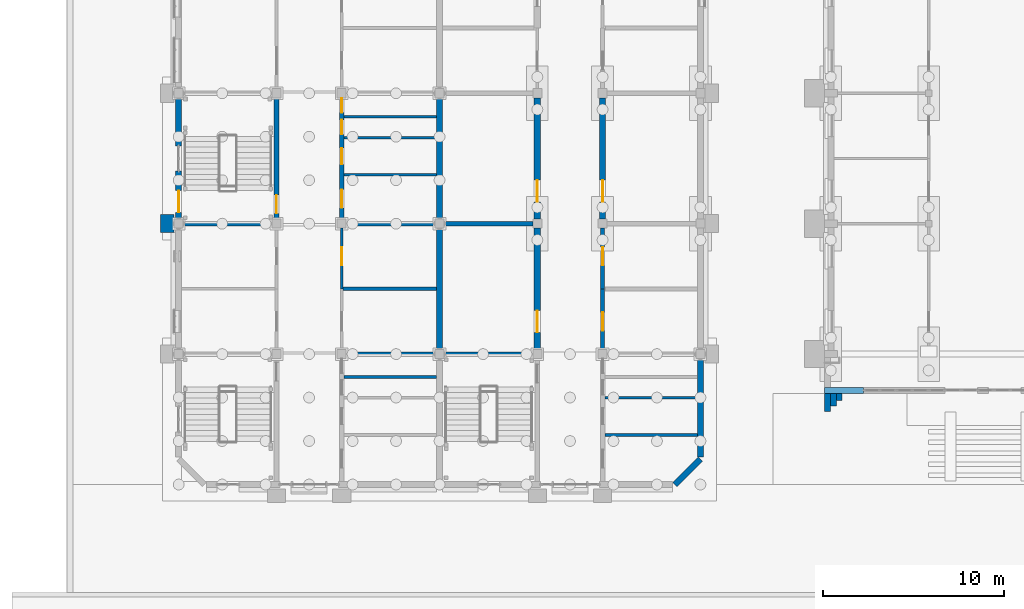
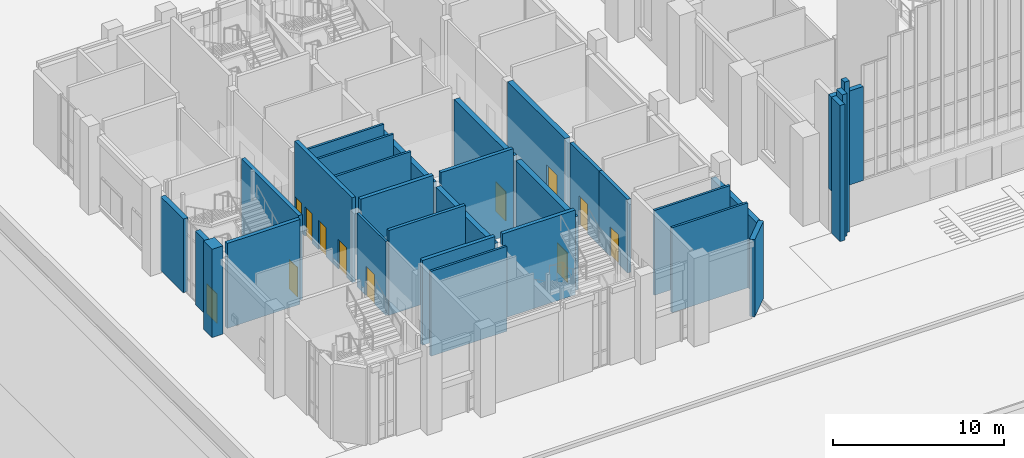
# One storey, part 33 of 84: 31 walls, 12 doors, 12 openings.
"""IFC4 building model written with IfcOpenShell, lengths in metres."""

from ifc_helpers import new_model, si_unit, direction, frame, frame_2d, origin, place, context, subcontext, project, spatial, rectangle, extrude, material, layer, layer_set, type_object, element, fill, save


model = new_model("IFC4")

# Units and contexts
model_context = context("Model", 3, precision=1e-05, world=origin(), true_north=direction((0.0, 1.0)))
body_context = subcontext(model_context, "Body", "Model", "MODEL_VIEW")
ifc_project = project(units=[si_unit("LENGTHUNIT", "METRE"), si_unit("AREAUNIT", "SQUARE_METRE"), si_unit("VOLUMEUNIT", "CUBIC_METRE"), si_unit("PLANEANGLEUNIT", "RADIAN"), si_unit("MASSUNIT", "GRAM", prefix="KILO")], contexts=[model_context])

# Site, building, storey
site_placement = place(None, origin())
site = spatial("IfcSite", under=ifc_project, at=site_placement, CompositionType="ELEMENT")
building_placement = place(site_placement, origin())
building = spatial("IfcBuilding", under=site, at=building_placement, Name="Mazhai Court Health Centre", CompositionType="ELEMENT")
storey_placement = place(building_placement, origin())
storey = spatial("IfcBuildingStorey", under=building, at=storey_placement, Name="L00", CompositionType="ELEMENT", Elevation=0.0)

# Walls
ifc_material_1 = material(Name="Clay brick masonry", Category="masonry")
ifc_layer_1 = layer(ifc_material_1, 0.75)
ifc_layer_set_1 = layer_set([ifc_layer_1], Name="BRICK PIER 750")
wall_type_1 = type_object("IfcWallType", Name="BRICK PIER 750", PredefinedType="SOLIDWALL", material=ifc_layer_set_1)
wall_1_placement = place(storey_placement, frame((5.574951171875, 20.10009765625, 0.0), z_axis=(0.0, 0.0, 1.0), x_axis=(0.0, 1.0, 0.0)))
element("IfcWall", 1, at=wall_1_placement, inside=storey, type_object=wall_type_1, Name="EP-V2-L00-A2", PredefinedType="SOLIDWALL", context=body_context, shape_type="SweptSolid", body=[
    extrude(rectangle(XDim=1.0, YDim=0.75, at=frame_2d((0.5, 0.0))), origin(), (0.0, 0.0, 1.0), 6.300048828125),
])
ifc_material_2 = material(Name="Clay brick masonry", Category="masonry")
ifc_layer_2 = layer(ifc_material_2, 0.22998046875)
ifc_layer_set_2 = layer_set([ifc_layer_2], Name="BRICK WALL 230 SHIELDING EI120")
wall_type_2 = type_object("IfcWallType", Name="BRICK WALL 230 SHIELDING EI120", PredefinedType="SOLIDWALL", material=ifc_layer_set_2)
wall_2_placement = place(storey_placement, frame((20.85009765625, 20.60009765625, 0.0), z_axis=(0.0, 0.0, 1.0), x_axis=(1.0, 0.0, 0.0)))
element("IfcWall", 2, at=wall_2_placement, inside=storey, type_object=wall_type_2, Name="wall-V5-L00-A0-cross-1a", PredefinedType="SOLIDWALL", context=body_context, shape_type="SweptSolid", body=[
    extrude(rectangle(XDim=4.89990234375, YDim=0.22998046875, at=frame_2d((2.449951171875, 0.0))), origin(), (0.0, 0.0, 1.0), 6.050048828125),
])

# Wall, opening, door
wall_3_placement = place(storey_placement, frame((29.60009765625, 17.0, 0.0), z_axis=(0.0, 0.0, 1.0), x_axis=(0.0, -1.0, 0.0)))
wall_3 = element("IfcWall", 3, at=wall_3_placement, inside=storey, type_object=wall_type_2, Name="wall-V5-L00-B0-corr-0a", PredefinedType="SOLIDWALL", context=body_context, shape_type="SweptSolid", body=[
    extrude(rectangle(XDim=3.35009765625, YDim=0.22998046875, at=frame_2d((1.675048828125, 0.0))), origin(), (0.0, 0.0, 1.0), 5.25),
])
opening_1_placement = place(wall_3_placement, frame((1.300048828125, 0.0, 0.0)))
opening_1 = element("IfcOpeningElement", 4, at=opening_1_placement, cuts=wall_3, Name="Opening D-L00-035", PredefinedType="OPENING", context=body_context, shape_type="SweptSolid", body=[
    extrude(rectangle(XDim=1.0, YDim=2.10009765625, at=frame_2d((0.5, 1.050048828125))), frame((0.0, 0.125, 0.0), z_axis=(0.0, -1.0, 0.0), x_axis=(1.0, 0.0, 0.0)), (0.0, 0.0, 1.0), 0.25),
])
ifc_material_3 = material(Name="Lead lined hardwood door leaf", Category="wood")
door_type_1 = type_object("IfcDoorType", Name="DOOR 1000x2100 FD30S LEAD LINED 2.0 PB", OperationType="NOTDEFINED", PredefinedType="DOOR", material=ifc_material_3)
door_1_placement = place(opening_1_placement, origin())
door_1 = element("IfcDoor", 5, at=door_1_placement, inside=storey, type_object=door_type_1, Name="door-V5-L00-B0-mammography-room", OperationType="SINGLE_SWING_RIGHT", OverallHeight=2.10009765625, OverallWidth=1.0, PredefinedType="DOOR", context=body_context, shape_type="SweptSolid", body=[
    extrude(rectangle(XDim=1.0, YDim=2.10009765625, at=frame_2d((0.5, 1.050048828125))), frame((0.0, 0.02490234375, 0.0), z_axis=(0.0, -1.0, 0.0), x_axis=(1.0, 0.0, 0.0)), (0.0, 0.0, 1.0), 0.050048828125),
])
fill(opening_1, door_1)

wall_4_placement = place(storey_placement, frame((29.60009765625, 20.35009765625, 0.0), z_axis=(0.0, 0.0, 1.0), x_axis=(0.0, -1.0, 0.0)))
wall_4 = element("IfcWall", 6, at=wall_4_placement, inside=storey, type_object=wall_type_2, Name="wall-V5-L00-B0-corr-1a", PredefinedType="SOLIDWALL", context=body_context, shape_type="SweptSolid", body=[
    extrude(rectangle(XDim=3.35009765625, YDim=0.22998046875, at=frame_2d((1.675048828125, 0.0))), origin(), (0.0, 0.0, 1.0), 5.25),
])
opening_2_placement = place(wall_4_placement, frame((1.050048828125, 0.0, 0.0)))
opening_2 = element("IfcOpeningElement", 7, at=opening_2_placement, cuts=wall_4, Name="Opening D-L00-036", PredefinedType="OPENING", context=body_context, shape_type="SweptSolid", body=[
    extrude(rectangle(XDim=1.0, YDim=2.10009765625, at=frame_2d((0.5, 1.050048828125))), frame((0.0, 0.125, 0.0), z_axis=(0.0, -1.0, 0.0), x_axis=(1.0, 0.0, 0.0)), (0.0, 0.0, 1.0), 0.25),
])
door_2_placement = place(opening_2_placement, origin())
door_2 = element("IfcDoor", 8, at=door_2_placement, inside=storey, type_object=door_type_1, Name="door-V5-L00-B0-dexa-scan-room", OperationType="SINGLE_SWING_LEFT", OverallHeight=2.10009765625, OverallWidth=1.0, PredefinedType="DOOR", context=body_context, shape_type="SweptSolid", body=[
    extrude(rectangle(XDim=1.0, YDim=2.10009765625, at=frame_2d((0.5, 1.050048828125))), frame((0.0, 0.02490234375, 0.0), z_axis=(0.0, -1.0, 0.0), x_axis=(1.0, 0.0, 0.0)), (0.0, 0.0, 1.0), 0.050048828125),
])
fill(opening_2, door_2)

ifc_material_4 = material(Name="Clay brick masonry", Category="masonry")
ifc_layer_3 = layer(ifc_material_4, 0.330078125)
ifc_layer_set_3 = layer_set([ifc_layer_3], Name="BRICK WALL 330 EXTERNAL")
wall_type_3 = type_object("IfcWallType", Name="BRICK WALL 330 EXTERNAL", PredefinedType="SOLIDWALL", material=ifc_layer_set_3)
wall_5_placement = place(storey_placement, frame((6.199951171875, 20.85009765625, 0.0), z_axis=(0.0, 0.0, 1.0), x_axis=(0.0, 1.0, 0.0)))
wall_5 = element("IfcWall", 9, at=wall_5_placement, inside=storey, type_object=wall_type_3, Name="EW-V2-L00-A2a", PredefinedType="SOLIDWALL", context=body_context, shape_type="SweptSolid", body=[
    extrude(rectangle(XDim=2.64990234375, YDim=0.330078125, at=frame_2d((1.324951171875, 0.0))), origin(), (0.0, 0.0, 1.0), 5.25),
])
opening_3_placement = place(wall_5_placement, frame((0.3701171875, 0.0, 0.0)))
opening_3 = element("IfcOpeningElement", 10, at=opening_3_placement, cuts=wall_5, Name="Opening D-L00-001", PredefinedType="OPENING", context=body_context, shape_type="SweptSolid", body=[
    extrude(rectangle(XDim=1.199951171875, YDim=2.10009765625, at=frame_2d((0.60009765625, 1.050048828125))), frame((0.0, 0.175048828125, 0.0), z_axis=(0.0, -1.0, 0.0), x_axis=(1.0, 0.0, 0.0)), (0.0, 0.0, 1.0), 0.35009765625),
])
ifc_material_5 = material(Name="Teak timber door, glazed", Category="wood")
door_type_2 = type_object("IfcDoorType", Name="DOOR FIRE EXIT 1200x2100", OperationType="SINGLE_SWING_LEFT", PredefinedType="DOOR", material=ifc_material_5)
door_3_placement = place(opening_3_placement, origin())
door_3 = element("IfcDoor", 11, at=door_3_placement, inside=storey, type_object=door_type_2, Name="L00-E01", OperationType="SINGLE_SWING_LEFT", OverallHeight=2.10009765625, OverallWidth=1.199951171875, PredefinedType="DOOR", context=body_context, shape_type="SweptSolid", body=[
    extrude(rectangle(XDim=1.199951171875, YDim=2.10009765625, at=frame_2d((0.60009765625, 1.050048828125))), frame((0.0, 0.02490234375, 0.0), z_axis=(0.0, -1.0, 0.0), x_axis=(1.0, 0.0, 0.0)), (0.0, 0.0, 1.0), 0.050048828125),
])
fill(opening_3, door_3)

# Walls
wall_6_placement = place(storey_placement, frame((6.199951171875, 24.89990234375, 0.0), z_axis=(0.0, 0.0, 1.0), x_axis=(0.0, 1.0, 0.0)))
element("IfcWall", 12, at=wall_6_placement, inside=storey, type_object=wall_type_3, Name="EW-V2-L00-A2b", PredefinedType="SOLIDWALL", context=body_context, shape_type="SweptSolid", body=[
    extrude(rectangle(XDim=2.650146484375, YDim=0.330078125, at=frame_2d((1.3251953125, 0.0))), origin(), (0.0, 0.0, 1.0), 5.25),
])
wall_7_placement = place(storey_placement, frame((35.0, 13.14990234375, 0.0), z_axis=(0.0, 0.0, 1.0), x_axis=(0.0, -1.0, 0.0)))
element("IfcWall", 13, at=wall_7_placement, inside=storey, type_object=wall_type_3, Name="EW-V5-L00-B0", PredefinedType="SOLIDWALL", context=body_context, shape_type="SweptSolid", body=[
    extrude(rectangle(XDim=5.4189453125, YDim=0.330078125, at=frame_2d((2.70947265625, 0.0))), origin(), (0.0, 0.0, 1.0), 5.25),
])
wall_8_placement = place(storey_placement, frame((35.0, 7.614013671875, 0.0), z_axis=(0.0, 0.0, 1.0), x_axis=(-0.707106781187, -0.707106781187, 0.0)))
element("IfcWall", 14, at=wall_8_placement, inside=storey, type_object=wall_type_3, Name="EW-V5-L00-CHB", PredefinedType="SOLIDWALL", context=body_context, shape_type="SweptSolid", body=[
    extrude(rectangle(XDim=1.999755859375, YDim=0.330078125, at=frame_2d((1.0, 0.0))), origin(), (0.0, 0.0, 1.0), 5.5),
])
wall_9_placement = place(storey_placement, frame((44.0, 11.39990234375, 3.0), z_axis=(0.0, 0.0, 1.0), x_axis=(-1.0, 0.0, 0.0)))
element("IfcWall", 15, at=wall_9_placement, inside=storey, type_object=wall_type_3, Name="EW-V1-L00-SJW", PredefinedType="SOLIDWALL", context=body_context, shape_type="SweptSolid", body=[
    extrude(rectangle(XDim=2.159912109375, YDim=0.330078125, at=frame_2d((1.080078125, 0.0))), origin(), (0.0, 0.0, 1.0), 6.699951171875),
])
wall_10_placement = place(storey_placement, frame((42.0048828125, 10.235107421875, 0.0), z_axis=(0.0, 0.0, 1.0), x_axis=(0.0, 1.0, 0.0)))
element("IfcWall", 16, at=wall_10_placement, inside=storey, type_object=wall_type_3, Name="EW-V1-L00-PRW0", PredefinedType="SOLIDWALL", context=body_context, shape_type="SweptSolid", body=[
    extrude(rectangle(XDim=1.0, YDim=0.330078125, at=frame_2d((0.5, 0.0))), origin(), (0.0, 0.0, 1.0), 9.699951171875),
])
wall_11_placement = place(storey_placement, frame((42.3349609375, 10.534912109375, 0.0), z_axis=(0.0, 0.0, 1.0), x_axis=(0.0, 1.0, 0.0)))
element("IfcWall", 17, at=wall_11_placement, inside=storey, type_object=wall_type_3, Name="EW-V1-L00-PRW1", PredefinedType="SOLIDWALL", context=body_context, shape_type="SweptSolid", body=[
    extrude(rectangle(XDim=0.7001953125, YDim=0.330078125, at=frame_2d((0.35009765625, 0.0))), origin(), (0.0, 0.0, 1.0), 10.156982421875),
])
wall_12_placement = place(storey_placement, frame((42.6650390625, 10.8349609375, 0.0), z_axis=(0.0, 0.0, 1.0), x_axis=(0.0, 1.0, 0.0)))
element("IfcWall", 18, at=wall_12_placement, inside=storey, type_object=wall_type_3, Name="EW-V1-L00-PRW2", PredefinedType="SOLIDWALL", context=body_context, shape_type="SweptSolid", body=[
    extrude(rectangle(XDim=0.400146484375, YDim=0.330078125, at=frame_2d((0.2001953125, 0.0))), origin(), (0.0, 0.0, 1.0), 10.77001953125),
])
ifc_material_6 = material(Name="Clay brick masonry", Category="masonry")
ifc_layer_4 = layer(ifc_material_6, 0.330078125)
ifc_layer_set_4 = layer_set([ifc_layer_4], Name="BRICK WALL 330 INTERNAL")
wall_type_4 = type_object("IfcWallType", Name="BRICK WALL 330 INTERNAL", PredefinedType="SOLIDWALL", material=ifc_layer_set_4)
wall_13_placement = place(storey_placement, frame((20.60009765625, 20.35009765625, 0.0), z_axis=(0.0, 0.0, 1.0), x_axis=(0.0, -1.0, 0.0)))
element("IfcWall", 19, at=wall_13_placement, inside=storey, type_object=wall_type_4, Name="EW-V2-L00-B1", PredefinedType="SOLIDWALL", context=body_context, shape_type="SweptSolid", body=[
    extrude(rectangle(XDim=6.7001953125, YDim=0.330078125, at=frame_2d((3.35009765625, 0.0))), origin(), (0.0, 0.0, 1.0), 5.25),
])
wall_14_placement = place(storey_placement, frame((20.60009765625, 27.550048828125, 0.0), z_axis=(0.0, 0.0, 1.0), x_axis=(0.0, -1.0, 0.0)))
element("IfcWall", 20, at=wall_14_placement, inside=storey, type_object=wall_type_4, Name="EW-V2-L00-B2", PredefinedType="SOLIDWALL", context=body_context, shape_type="SweptSolid", body=[
    extrude(rectangle(XDim=6.699951171875, YDim=0.330078125, at=frame_2d((3.35009765625, 0.0))), origin(), (0.0, 0.0, 1.0), 5.25),
])

# Wall, opening, door
ifc_material_7 = material(Name="Clay brick masonry", Category="masonry")
ifc_layer_5 = layer(ifc_material_7, 0.35009765625)
ifc_layer_set_5 = layer_set([ifc_layer_5], Name="BRICK WALL 350 SHIELDING EI120")
wall_type_5 = type_object("IfcWallType", Name="BRICK WALL 350 SHIELDING EI120", PredefinedType="SOLIDWALL", material=ifc_layer_set_5)
wall_15_placement = place(storey_placement, frame((26.0, 13.64990234375, 0.0), z_axis=(0.0, 0.0, 1.0), x_axis=(0.0, 1.0, 0.0)))
wall_15 = element("IfcWall", 21, at=wall_15_placement, inside=storey, type_object=wall_type_5, Name="wall-V5-L00-A0-corr-0a", PredefinedType="SOLIDWALL", context=body_context, shape_type="SweptSolid", body=[
    extrude(rectangle(XDim=6.7001953125, YDim=0.35009765625, at=frame_2d((3.35009765625, 0.0))), origin(), (0.0, 0.0, 1.0), 5.25),
])
opening_4_placement = place(wall_15_placement, frame((0.949951171875, 0.0, 0.0)))
opening_4 = element("IfcOpeningElement", 22, at=opening_4_placement, cuts=wall_15, Name="Opening D-L00-024", PredefinedType="OPENING", context=body_context, shape_type="SweptSolid", body=[
    extrude(rectangle(XDim=1.199951171875, YDim=2.10009765625, at=frame_2d((0.60009765625, 1.050048828125))), frame((0.0, 0.18505859375, 0.0), z_axis=(0.0, -1.0, 0.0), x_axis=(1.0, 0.0, 0.0)), (0.0, 0.0, 1.0), 0.3701171875),
])
ifc_material_8 = material(Name="Lead lined hardwood door leaf", Category="wood")
door_type_3 = type_object("IfcDoorType", Name="DOOR 1200x2100 FD30S LEAD LINED 2.0 PB", OperationType="NOTDEFINED", PredefinedType="DOOR", material=ifc_material_8)
door_4_placement = place(opening_4_placement, origin())
door_4 = element("IfcDoor", 23, at=door_4_placement, inside=storey, type_object=door_type_3, Name="door-V5-L00-A0-x-ray-room-1", OperationType="SINGLE_SWING_LEFT", OverallHeight=2.10009765625, OverallWidth=1.199951171875, PredefinedType="DOOR", context=body_context, shape_type="SweptSolid", body=[
    extrude(rectangle(XDim=1.199951171875, YDim=2.10009765625, at=frame_2d((0.60009765625, 1.050048828125))), frame((0.0, 0.02490234375, 0.0), z_axis=(0.0, -1.0, 0.0), x_axis=(1.0, 0.0, 0.0)), (0.0, 0.0, 1.0), 0.050048828125),
])
fill(opening_4, door_4)

wall_16_placement = place(storey_placement, frame((26.0, 20.85009765625, 0.0), z_axis=(0.0, 0.0, 1.0), x_axis=(0.0, 1.0, 0.0)))
wall_16 = element("IfcWall", 24, at=wall_16_placement, inside=storey, type_object=wall_type_5, Name="wall-V5-L00-A0-corr-1a", PredefinedType="SOLIDWALL", context=body_context, shape_type="SweptSolid", body=[
    extrude(rectangle(XDim=6.699951171875, YDim=0.35009765625, at=frame_2d((3.35009765625, 0.0))), origin(), (0.0, 0.0, 1.0), 5.25),
])
opening_5_placement = place(wall_16_placement, frame((0.949951171875, 0.0, 0.0)))
opening_5 = element("IfcOpeningElement", 25, at=opening_5_placement, cuts=wall_16, Name="Opening D-L00-025", PredefinedType="OPENING", context=body_context, shape_type="SweptSolid", body=[
    extrude(rectangle(XDim=1.199951171875, YDim=2.10009765625, at=frame_2d((0.60009765625, 1.050048828125))), frame((0.0, 0.18505859375, 0.0), z_axis=(0.0, -1.0, 0.0), x_axis=(1.0, 0.0, 0.0)), (0.0, 0.0, 1.0), 0.3701171875),
])
door_5_placement = place(opening_5_placement, origin())
door_5 = element("IfcDoor", 26, at=door_5_placement, inside=storey, type_object=door_type_3, Name="door-V5-L00-A0-x-ray-room-2", OperationType="SINGLE_SWING_LEFT", OverallHeight=2.10009765625, OverallWidth=1.199951171875, PredefinedType="DOOR", context=body_context, shape_type="SweptSolid", body=[
    extrude(rectangle(XDim=1.199951171875, YDim=2.10009765625, at=frame_2d((0.60009765625, 1.050048828125))), frame((0.0, 0.02490234375, 0.0), z_axis=(0.0, -1.0, 0.0), x_axis=(1.0, 0.0, 0.0)), (0.0, 0.0, 1.0), 0.050048828125),
])
fill(opening_5, door_5)

wall_17_placement = place(storey_placement, frame((29.60009765625, 27.550048828125, 0.0), z_axis=(0.0, 0.0, 1.0), x_axis=(0.0, -1.0, 0.0)))
wall_17 = element("IfcWall", 27, at=wall_17_placement, inside=storey, type_object=wall_type_5, Name="wall-V5-L00-B0-corr-2a", PredefinedType="SOLIDWALL", context=body_context, shape_type="SweptSolid", body=[
    extrude(rectangle(XDim=6.699951171875, YDim=0.35009765625, at=frame_2d((3.35009765625, 0.0))), origin(), (0.0, 0.0, 1.0), 5.25),
])
opening_6_placement = place(wall_17_placement, frame((4.550048828125, 0.0, 0.0)))
opening_6 = element("IfcOpeningElement", 28, at=opening_6_placement, cuts=wall_17, Name="Opening D-L00-037", PredefinedType="OPENING", context=body_context, shape_type="SweptSolid", body=[
    extrude(rectangle(XDim=1.199951171875, YDim=2.10009765625, at=frame_2d((0.60009765625, 1.050048828125))), frame((0.0, 0.18505859375, 0.0), z_axis=(0.0, -1.0, 0.0), x_axis=(1.0, 0.0, 0.0)), (0.0, 0.0, 1.0), 0.3701171875),
])
door_6_placement = place(opening_6_placement, origin())
door_6 = element("IfcDoor", 29, at=door_6_placement, inside=storey, type_object=door_type_3, Name="door-V5-L00-B0-ct-room", OperationType="SINGLE_SWING_RIGHT", OverallHeight=2.10009765625, OverallWidth=1.199951171875, PredefinedType="DOOR", context=body_context, shape_type="SweptSolid", body=[
    extrude(rectangle(XDim=1.199951171875, YDim=2.10009765625, at=frame_2d((0.60009765625, 1.050048828125))), frame((0.0, 0.02490234375, 0.0), z_axis=(0.0, -1.0, 0.0), x_axis=(1.0, 0.0, 0.0)), (0.0, 0.0, 1.0), 0.050048828125),
])
fill(opening_6, door_6)

ifc_material_9 = material(Name="Gypsum plasterboard partition")
ifc_layer_6 = layer(ifc_material_9, 0.14990234375)
ifc_layer_set_6 = layer_set([ifc_layer_6], Name="PARTITION 150 CORRIDOR EI60")
wall_type_6 = type_object("IfcWallType", Name="PARTITION 150 CORRIDOR EI60", PredefinedType="PARTITIONING", material=ifc_layer_set_6)
wall_18_placement = place(storey_placement, frame((15.199951171875, 20.35009765625, 0.0), z_axis=(0.0, 0.0, 1.0), x_axis=(0.0, -1.0, 0.0)))
wall_18 = element("IfcWall", 30, at=wall_18_placement, inside=storey, type_object=wall_type_6, Name="wall-V2-L00-B0-corr-1a", PredefinedType="PARTITIONING", context=body_context, shape_type="SweptSolid", body=[
    extrude(rectangle(XDim=3.35009765625, YDim=0.14990234375, at=frame_2d((1.675048828125, 0.0))), origin(), (0.0, 0.0, 1.0), 5.25),
])
opening_7_placement = place(wall_18_placement, frame((1.050048828125, 0.0, 0.0)))
opening_7 = element("IfcOpeningElement", 31, at=opening_7_placement, cuts=wall_18, Name="Opening D-L00-015", PredefinedType="OPENING", context=body_context, shape_type="SweptSolid", body=[
    extrude(rectangle(XDim=1.0, YDim=2.10009765625, at=frame_2d((0.5, 1.050048828125))), frame((0.0, 0.0849609375, 0.0), z_axis=(0.0, -1.0, 0.0), x_axis=(1.0, 0.0, 0.0)), (0.0, 0.0, 1.0), 0.169921875),
])
ifc_material_10 = material(Name="Hardwood door leaf", Category="wood")
door_type_4 = type_object("IfcDoorType", Name="DOOR 1000x2100 FD30S SINGLE", OperationType="NOTDEFINED", PredefinedType="DOOR", material=ifc_material_10)
door_7_placement = place(opening_7_placement, origin())
door_7 = element("IfcDoor", 32, at=door_7_placement, inside=storey, type_object=door_type_4, Name="door-V2-L00-B0-consent-room", OperationType="SINGLE_SWING_LEFT", OverallHeight=2.10009765625, OverallWidth=1.0, PredefinedType="DOOR", context=body_context, shape_type="SweptSolid", body=[
    extrude(rectangle(XDim=1.0, YDim=2.10009765625, at=frame_2d((0.5, 1.050048828125))), frame((0.0, 0.02490234375, 0.0), z_axis=(0.0, -1.0, 0.0), x_axis=(1.0, 0.0, 0.0)), (0.0, 0.0, 1.0), 0.050048828125),
])
fill(opening_7, door_7)

# Walls
ifc_material_11 = material(Name="Gypsum plasterboard partition")
ifc_layer_7 = layer(ifc_material_11, 0.199951171875)
ifc_layer_set_7 = layer_set([ifc_layer_7], Name="PARTITION 200 ACOUSTIC EI30")
wall_type_7 = type_object("IfcWallType", Name="PARTITION 200 ACOUSTIC EI30", PredefinedType="PARTITIONING", material=ifc_layer_set_7)
wall_19_placement = place(storey_placement, frame((20.43505859375, 17.0, 0.0), z_axis=(0.0, 0.0, 1.0), x_axis=(-1.0, 0.0, 0.0)))
element("IfcWall", 33, at=wall_19_placement, inside=storey, type_object=wall_type_7, Name="wall-V2-L00-B0-cross-1a", PredefinedType="PARTITIONING", context=body_context, shape_type="SweptSolid", body=[
    extrude(rectangle(XDim=5.16015625, YDim=0.199951171875, at=frame_2d((2.580078125, 0.0))), origin(), (0.0, 0.0, 1.0), 6.050048828125),
])
ifc_material_12 = material(Name="Concrete M40", Category="concrete")
ifc_layer_8 = layer(ifc_material_12, 0.25)
ifc_layer_set_8 = layer_set([ifc_layer_8], Name="RC CORE WALL 250 M40")
wall_type_8 = type_object("IfcWallType", Name="RC CORE WALL 250 M40", PredefinedType="SHEAR", material=ifc_layer_set_8)
wall_20_placement = place(storey_placement, frame((15.449951171875, 13.39990234375, 0.0), z_axis=(0.0, 0.0, 1.0), x_axis=(1.0, 0.0, 0.0)))
element("IfcWall", 34, at=wall_20_placement, inside=storey, type_object=wall_type_8, Name="core-C1-w-other-line0-L00", PredefinedType="SHEAR", context=body_context, shape_type="SweptSolid", body=[
    extrude(rectangle(XDim=4.900146484375, YDim=0.25, at=frame_2d((2.4501953125, 0.0))), origin(), (0.0, 0.0, 1.0), 6.050048828125),
])

# Wall, opening, door
wall_21_placement = place(storey_placement, frame((11.60009765625, 20.85009765625, 0.0), z_axis=(0.0, 0.0, 1.0), x_axis=(0.0, 1.0, 0.0)))
wall_21 = element("IfcWall", 35, at=wall_21_placement, inside=storey, type_object=wall_type_8, Name="core-C2-w-stair-corr-L00", PredefinedType="SHEAR", context=body_context, shape_type="SweptSolid", body=[
    extrude(rectangle(XDim=6.699951171875, YDim=0.25, at=frame_2d((3.35009765625, 0.0))), origin(), (0.0, 0.0, 1.0), 6.050048828125),
])
opening_8_placement = place(wall_21_placement, frame((0.324951171875, 0.0, 0.0)))
opening_8 = element("IfcOpeningElement", 36, at=opening_8_placement, cuts=wall_21, Name="Opening D-L00-005", PredefinedType="OPENING", context=body_context, shape_type="SweptSolid", body=[
    extrude(rectangle(XDim=1.0, YDim=2.10009765625, at=frame_2d((0.5, 1.050048828125))), frame((0.0, 0.135009765625, 0.0), z_axis=(0.0, -1.0, 0.0), x_axis=(1.0, 0.0, 0.0)), (0.0, 0.0, 1.0), 0.27001953125),
])
ifc_material_13 = material(Name="Steel fire door leaf", Category="steel")
door_type_5 = type_object("IfcDoorType", Name="FD120S STAIR DOOR 1000x2100", OperationType="SINGLE_SWING_LEFT", PredefinedType="DOOR", material=ifc_material_13)
door_8_placement = place(opening_8_placement, origin())
door_8 = element("IfcDoor", 37, at=door_8_placement, inside=storey, type_object=door_type_5, Name="Stair 2 door L00", OperationType="SINGLE_SWING_RIGHT", OverallHeight=2.10009765625, OverallWidth=1.0, PredefinedType="DOOR", context=body_context, shape_type="SweptSolid", body=[
    extrude(rectangle(XDim=1.0, YDim=2.10009765625, at=frame_2d((0.5, 1.050048828125))), frame((0.0, 0.02490234375, 0.0), z_axis=(0.0, -1.0, 0.0), x_axis=(1.0, 0.0, 0.0)), (0.0, 0.0, 1.0), 0.050048828125),
])
fill(opening_8, door_8)

# Wall
wall_22_placement = place(storey_placement, frame((6.449951171875, 20.60009765625, 0.0), z_axis=(0.0, 0.0, 1.0), x_axis=(1.0, 0.0, 0.0)))
element("IfcWall", 38, at=wall_22_placement, inside=storey, type_object=wall_type_8, Name="core-C2-w-stair-line0-L00", PredefinedType="SHEAR", context=body_context, shape_type="SweptSolid", body=[
    extrude(rectangle(XDim=4.900146484375, YDim=0.25, at=frame_2d((2.4501953125, 0.0))), origin(), (0.0, 0.0, 1.0), 6.050048828125),
])

# Wall, openings, doors
wall_23_placement = place(storey_placement, frame((15.199951171875, 20.85009765625, 0.0), z_axis=(0.0, 0.0, 1.0), x_axis=(0.0, 1.0, 0.0)))
wall_23 = element("IfcWall", 39, at=wall_23_placement, inside=storey, type_object=wall_type_8, Name="core-C2-w-other-corr-L00", PredefinedType="SHEAR", context=body_context, shape_type="SweptSolid", body=[
    extrude(rectangle(XDim=6.699951171875, YDim=0.25, at=frame_2d((3.35009765625, 0.0))), origin(), (0.0, 0.0, 1.0), 6.050048828125),
])
opening_9_placement = place(wall_23_placement, frame((0.625, 0.0, 0.0)))
opening_9 = element("IfcOpeningElement", 40, at=opening_9_placement, cuts=wall_23, Name="Opening D-L00-016", PredefinedType="OPENING", context=body_context, shape_type="SweptSolid", body=[
    extrude(rectangle(XDim=1.0, YDim=2.10009765625, at=frame_2d((0.5, 1.050048828125))), frame((0.0, 0.135009765625, 0.0), z_axis=(0.0, -1.0, 0.0), x_axis=(1.0, 0.0, 0.0)), (0.0, 0.0, 1.0), 0.27001953125),
])
opening_10_placement = place(wall_23_placement, frame((3.02490234375, 0.0, 0.0)))
opening_10 = element("IfcOpeningElement", 41, at=opening_10_placement, cuts=wall_23, Name="Opening D-L00-017", PredefinedType="OPENING", context=body_context, shape_type="SweptSolid", body=[
    extrude(rectangle(XDim=0.89990234375, YDim=2.10009765625, at=frame_2d((0.449951171875, 1.050048828125))), frame((0.0, 0.135009765625, 0.0), z_axis=(0.0, -1.0, 0.0), x_axis=(1.0, 0.0, 0.0)), (0.0, 0.0, 1.0), 0.27001953125),
])
opening_11_placement = place(wall_23_placement, frame((4.675048828125, 0.0, 0.0)))
opening_11 = element("IfcOpeningElement", 42, at=opening_11_placement, cuts=wall_23, Name="Opening D-L00-018", PredefinedType="OPENING", context=body_context, shape_type="SweptSolid", body=[
    extrude(rectangle(XDim=0.800048828125, YDim=2.10009765625, at=frame_2d((0.39990234375, 1.050048828125))), frame((0.0, 0.135009765625, 0.0), z_axis=(0.0, -1.0, 0.0), x_axis=(1.0, 0.0, 0.0)), (0.0, 0.0, 1.0), 0.27001953125),
])
opening_12_placement = place(wall_23_placement, frame((5.875, 0.0, 0.0)))
opening_12 = element("IfcOpeningElement", 43, at=opening_12_placement, cuts=wall_23, Name="Opening D-L00-019", PredefinedType="OPENING", context=body_context, shape_type="SweptSolid", body=[
    extrude(rectangle(XDim=0.800048828125, YDim=2.10009765625, at=frame_2d((0.39990234375, 1.050048828125))), frame((0.0, 0.135009765625, 0.0), z_axis=(0.0, -1.0, 0.0), x_axis=(1.0, 0.0, 0.0)), (0.0, 0.0, 1.0), 0.27001953125),
])
ifc_material_14 = material(Name="Timber door leaf", Category="wood")
door_type_6 = type_object("IfcDoorType", Name="ACCESSIBLE WC DOOR 1000x2100", OperationType="SINGLE_SWING_RIGHT", PredefinedType="DOOR", material=ifc_material_14)
door_9_placement = place(opening_9_placement, origin())
door_9 = element("IfcDoor", 44, at=door_9_placement, inside=storey, type_object=door_type_6, Name="Accessible WC door L00", OperationType="SINGLE_SWING_LEFT", OverallHeight=2.10009765625, OverallWidth=1.0, PredefinedType="DOOR", context=body_context, shape_type="SweptSolid", body=[
    extrude(rectangle(XDim=1.0, YDim=2.10009765625, at=frame_2d((0.5, 1.050048828125))), frame((0.0, 0.02490234375, 0.0), z_axis=(0.0, -1.0, 0.0), x_axis=(1.0, 0.0, 0.0)), (0.0, 0.0, 1.0), 0.050048828125),
])
fill(opening_9, door_9)
ifc_material_15 = material(Name="Timber door leaf", Category="wood")
door_type_7 = type_object("IfcDoorType", Name="CLEANER STORE DOOR 800x2100", OperationType="SINGLE_SWING_LEFT", PredefinedType="DOOR", material=ifc_material_15)
door_10_placement = place(opening_11_placement, origin())
door_10 = element("IfcDoor", 45, at=door_10_placement, inside=storey, type_object=door_type_7, Name="Cleaner door L00", OperationType="SINGLE_SWING_LEFT", OverallHeight=2.10009765625, OverallWidth=0.800048828125, PredefinedType="DOOR", context=body_context, shape_type="SweptSolid", body=[
    extrude(rectangle(XDim=0.800048828125, YDim=2.10009765625, at=frame_2d((0.39990234375, 1.050048828125))), frame((0.0, 0.02490234375, 0.0), z_axis=(0.0, -1.0, 0.0), x_axis=(1.0, 0.0, 0.0)), (0.0, 0.0, 1.0), 0.050048828125),
])
fill(opening_11, door_10)
ifc_material_16 = material(Name="Steel fire door leaf", Category="steel")
door_type_8 = type_object("IfcDoorType", Name="FD60S RISER DOOR 800x2100", OperationType="SINGLE_SWING_LEFT", PredefinedType="DOOR", material=ifc_material_16)
door_11_placement = place(opening_12_placement, origin())
door_11 = element("IfcDoor", 46, at=door_11_placement, inside=storey, type_object=door_type_8, Name="Riser door L00", OperationType="SINGLE_SWING_LEFT", OverallHeight=2.10009765625, OverallWidth=0.800048828125, PredefinedType="DOOR", context=body_context, shape_type="SweptSolid", body=[
    extrude(rectangle(XDim=0.800048828125, YDim=2.10009765625, at=frame_2d((0.39990234375, 1.050048828125))), frame((0.0, 0.02490234375, 0.0), z_axis=(0.0, -1.0, 0.0), x_axis=(1.0, 0.0, 0.0)), (0.0, 0.0, 1.0), 0.050048828125),
])
fill(opening_12, door_11)
ifc_material_17 = material(Name="Timber door leaf", Category="wood")
door_type_9 = type_object("IfcDoorType", Name="WC DOOR 900x2100", OperationType="SINGLE_SWING_LEFT", PredefinedType="DOOR", material=ifc_material_17)
door_12_placement = place(opening_10_placement, origin())
door_12 = element("IfcDoor", 47, at=door_12_placement, inside=storey, type_object=door_type_9, Name="WC door L00", OperationType="SINGLE_SWING_LEFT", OverallHeight=2.10009765625, OverallWidth=0.89990234375, PredefinedType="DOOR", context=body_context, shape_type="SweptSolid", body=[
    extrude(rectangle(XDim=0.89990234375, YDim=2.10009765625, at=frame_2d((0.449951171875, 1.050048828125))), frame((0.0, 0.02490234375, 0.0), z_axis=(0.0, -1.0, 0.0), x_axis=(1.0, 0.0, 0.0)), (0.0, 0.0, 1.0), 0.050048828125),
])
fill(opening_10, door_12)

# Walls
wall_24_placement = place(storey_placement, frame((15.449951171875, 20.60009765625, 0.0), z_axis=(0.0, 0.0, 1.0), x_axis=(1.0, 0.0, 0.0)))
element("IfcWall", 48, at=wall_24_placement, inside=storey, type_object=wall_type_8, Name="core-C2-w-other-line0-L00", PredefinedType="SHEAR", context=body_context, shape_type="SweptSolid", body=[
    extrude(rectangle(XDim=4.900146484375, YDim=0.25, at=frame_2d((2.4501953125, 0.0))), origin(), (0.0, 0.0, 1.0), 6.050048828125),
])
wall_25_placement = place(storey_placement, frame((20.85009765625, 13.39990234375, 0.0), z_axis=(0.0, 0.0, 1.0), x_axis=(1.0, 0.0, 0.0)))
element("IfcWall", 49, at=wall_25_placement, inside=storey, type_object=wall_type_8, Name="core-C4-w-stair-line0-L00", PredefinedType="SHEAR", context=body_context, shape_type="SweptSolid", body=[
    extrude(rectangle(XDim=4.89990234375, YDim=0.25, at=frame_2d((2.449951171875, 0.0))), origin(), (0.0, 0.0, 1.0), 6.050048828125),
])
ifc_material_18 = material(Name="Concrete M25", Category="concrete")
ifc_layer_9 = layer(ifc_material_18, 0.14990234375)
ifc_layer_set_9 = layer_set([ifc_layer_9], Name="RC SERVICE ROOM WALL 150 M25")
wall_type_9 = type_object("IfcWallType", Name="RC SERVICE ROOM WALL 150 M25", PredefinedType="PARTITIONING", material=ifc_layer_set_9)
for number, where, z_axis, x_axis, name in (
    (50, (15.324951171875, 12.139892578125, 0.0), (0.0, 0.0, 1.0), (1.0, 0.0, 0.0), "core-C1-w-room2-L00"),
    (51, (15.324951171875, 23.300048828125, 0.0), (0.0, 0.0, 1.0), (1.0, 0.0, 0.0), "core-C2-w-room0-L00"),
    (52, (15.324951171875, 25.35009765625, 0.0), (0.0, 0.0, 1.0), (1.0, 0.0, 0.0), "core-C2-w-room1-L00"),
    (53, (15.324951171875, 26.5, 0.0), (0.0, 0.0, 1.0), (1.0, 0.0, 0.0), "core-C2-w-room2-L00"),
):
    element("IfcWall", number, at=place(storey_placement, frame(where, z_axis=z_axis, x_axis=x_axis)), inside=storey, type_object=wall_type_9, Name=name, PredefinedType="PARTITIONING", context=body_context, shape_type="SweptSolid", body=[
        extrude(rectangle(XDim=5.110107421875, YDim=0.14990234375, at=frame_2d((2.55517578125, 0.0))), origin(), (0.0, 0.0, 1.0), 6.050048828125),
    ])
for number, where, z_axis, x_axis, name in (
    (54, (29.72509765625, 8.93994140625, 0.0), (0.0, 0.0, 1.0), (1.0, 0.0, 0.0), "core-C4-w-room0-L00"),
    (55, (29.72509765625, 10.989990234375, 0.0), (0.0, 0.0, 1.0), (1.0, 0.0, 0.0), "core-C4-w-room1-L00"),
):
    element("IfcWall", number, at=place(storey_placement, frame(where, z_axis=z_axis, x_axis=x_axis)), inside=storey, type_object=wall_type_9, Name=name, PredefinedType="PARTITIONING", context=body_context, shape_type="SweptSolid", body=[
        extrude(rectangle(XDim=5.10986328125, YDim=0.14990234375, at=frame_2d((2.554931640625, 0.0))), origin(), (0.0, 0.0, 1.0), 6.050048828125),
    ])

save(model, "model.ifc")
